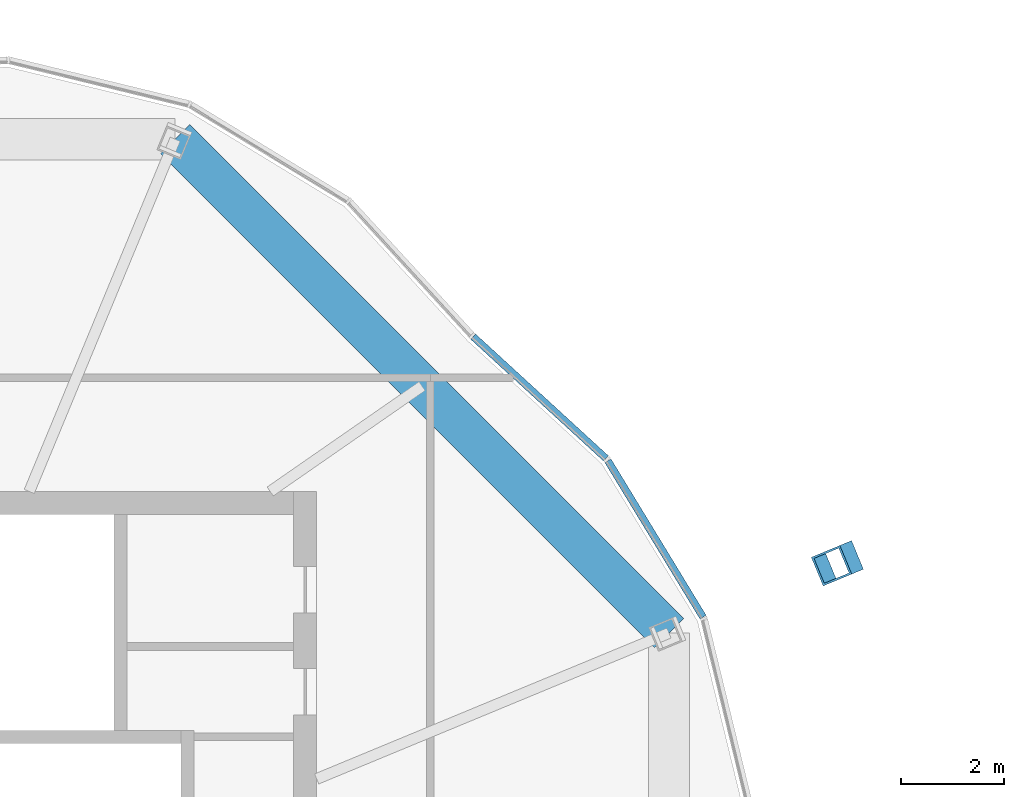
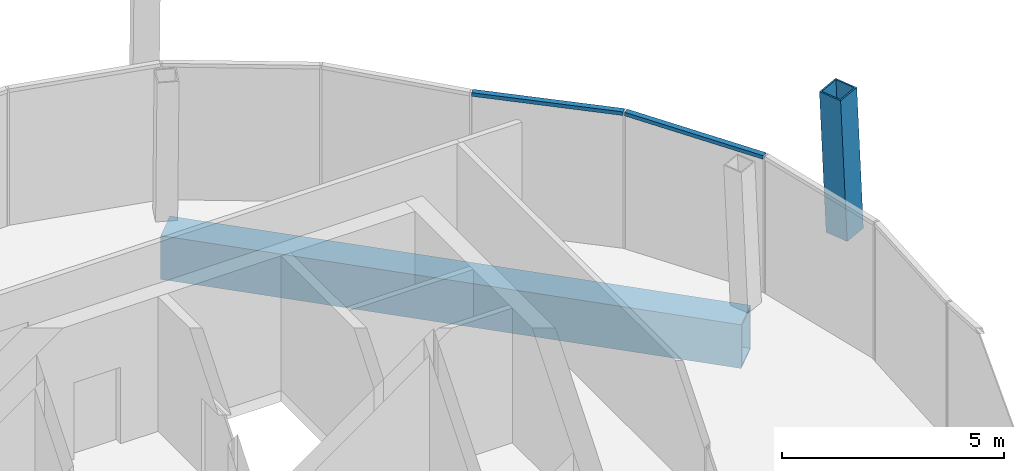
# One storey, part 8 of 23: 3 members, 1 beam, 1 element without a shape of its own.
"""IFC4 building model written with IfcOpenShell, lengths in metres."""

from ifc_helpers import new_model, si_unit, direction, frame, origin, origin_2d, place, context, subcontext, project, spatial, rectangle, hollow_rectangle, extrude, material, material_profile, profile_set, type_object, element, aggregate, save


model = new_model("IFC4")

# Units and contexts
model_context = context("Model", 3, precision=1e-05, world=origin(), true_north=direction((0.0, 1.0)))
body_context = subcontext(model_context, "Body", "Model", "MODEL_VIEW")
ifc_project = project(units=[si_unit("LENGTHUNIT", "METRE"), si_unit("AREAUNIT", "SQUARE_METRE"), si_unit("VOLUMEUNIT", "CUBIC_METRE"), si_unit("PLANEANGLEUNIT", "RADIAN"), si_unit("MASSUNIT", "GRAM", prefix="KILO")], contexts=[model_context])

# Site, building, storey
site_placement = place(None, origin())
site = spatial("IfcSite", under=ifc_project, at=site_placement, CompositionType="ELEMENT")
building_placement = place(site_placement, origin())
building = spatial("IfcBuilding", under=site, at=building_placement, Name="Ogive Gate Towers", CompositionType="ELEMENT")
storey_placement = place(building_placement, frame((0.0, 0.0, 302.0)))
storey = spatial("IfcBuildingStorey", under=building, at=storey_placement, Name="L71", CompositionType="ELEMENT", Elevation=302.0)

# Curtain wall, members
ifc_material_1 = material(Name="Pale metal aluminium", Category="aluminium")
curtain_wall_type = type_object("IfcCurtainWallType", Name="Crown lean wall", PredefinedType="NOTDEFINED", material=ifc_material_1)
curtain_wall_placement = place(storey_placement, origin())
curtain_wall = element("IfcCurtainWall", 1, at=curtain_wall_placement, inside=storey, type_object=curtain_wall_type, Name="CW5 T1 ECW01", PredefinedType="NOTDEFINED")
ifc_material_profile_1 = material_profile(ifc_material_1, rectangle(XDim=0.139892578125, YDim=0.10009765625, at=origin_2d()), Name="100 x 140 aluminium box")
ifc_profile_set_1 = profile_set([ifc_material_profile_1], Name="Pale metal aluminium")
member_type_1 = type_object("IfcMemberType", Name="Crown lean wall transom 100 x 140", PredefinedType="USERDEFINED", material=ifc_profile_set_1)
member_1_placement = place(storey_placement, frame((-23.47021484375, 12.496337890625, 3.64990234375), z_axis=(0.73706986576, -0.675816552763, 0.0), x_axis=(0.675816552763, 0.73706986576, 0.0)))
member_1 = element("IfcMember", 2, at=member_1_placement, type_object=member_type_1, Name="CW5 transom", ObjectType="TRANSOM", PredefinedType="USERDEFINED", context=body_context, shape_type="SweptSolid", body=[
    extrude(rectangle(XDim=0.139892578125, YDim=0.10009765625, at=origin_2d()), origin(), (0.0, 0.0, 1.0), 3.487548828125),
])
member_2_placement = place(storey_placement, frame((-20.86279296875, 10.0947265625, 3.64990234375), z_axis=(0.51986176427, -0.854250400088, 0.0), x_axis=(0.854250400088, 0.51986176427, 0.0)))
member_2 = element("IfcMember", 3, at=member_2_placement, type_object=member_type_1, Name="CW5 transom", ObjectType="TRANSOM", PredefinedType="USERDEFINED", context=body_context, shape_type="SweptSolid", body=[
    extrude(rectangle(XDim=0.139892578125, YDim=0.10009765625, at=origin_2d()), origin(), (0.0, 0.0, 1.0), 3.546142578125),
])
aggregate(curtain_wall, [member_1, member_2])

# Member
ifc_material_2 = material(Name="Steel SM460", Category="steel")
ifc_material_profile_2 = material_profile(ifc_material_2, hollow_rectangle(XDim=0.60009765625, YDim=0.60009765625, WallThickness=0.0400390625, at=origin_2d()), Name="BX 600x600x40")
ifc_profile_set_2 = profile_set([ifc_material_profile_2], Name="Steel SM460")
member_type_2 = type_object("IfcMemberType", Name="Crown rib BX 600x600x40", PredefinedType="MEMBER", material=ifc_profile_set_2)
member_3_placement = place(storey_placement, frame((-16.306884765625, 8.1572265625, 0.0), z_axis=(-0.056413057581, -0.02339375174, 0.998133407573), x_axis=(0.383056544411, -0.923724896159, 0.0)))
element("IfcMember", 4, at=member_3_placement, inside=storey, type_object=member_type_2, Name="T1/L71/STR001", PredefinedType="MEMBER", context=body_context, shape_type="SweptSolid", body=[
    extrude(hollow_rectangle(XDim=0.60009765625, YDim=0.60009765625, WallThickness=0.0400390625, at=origin_2d()), origin(), (0.0, 0.0, 1.0), 4.007568359375),
])

# Beam
ifc_material_profile_3 = material_profile(ifc_material_2, hollow_rectangle(XDim=0.800048828125, YDim=1.199951171875, WallThickness=0.050048828125, at=origin_2d()), Name="BX 1200x800x50")
ifc_profile_set_3 = profile_set([ifc_material_profile_3], Name="Steel SM460")
beam_type = type_object("IfcBeamType", Name="Edge girder BX 1200x800x50", PredefinedType="BEAM", material=ifc_profile_set_3)
beam_placement = place(storey_placement, frame((-19.6796875, 6.760009765625, -0.89990234375), z_axis=(-0.707106781187, 0.707106781187, 0.0), x_axis=(-0.707106781187, -0.707106781187, 0.0)))
element("IfcBeam", 5, at=beam_placement, inside=storey, type_object=beam_type, Name="T1/L71/SBM021", PredefinedType="BEAM", context=body_context, shape_type="SweptSolid", body=[
    extrude(hollow_rectangle(XDim=0.800048828125, YDim=1.199951171875, WallThickness=0.050048828125, at=origin_2d()), origin(), (0.0, 0.0, 1.0), 13.520263671875),
])

save(model, "model.ifc")
